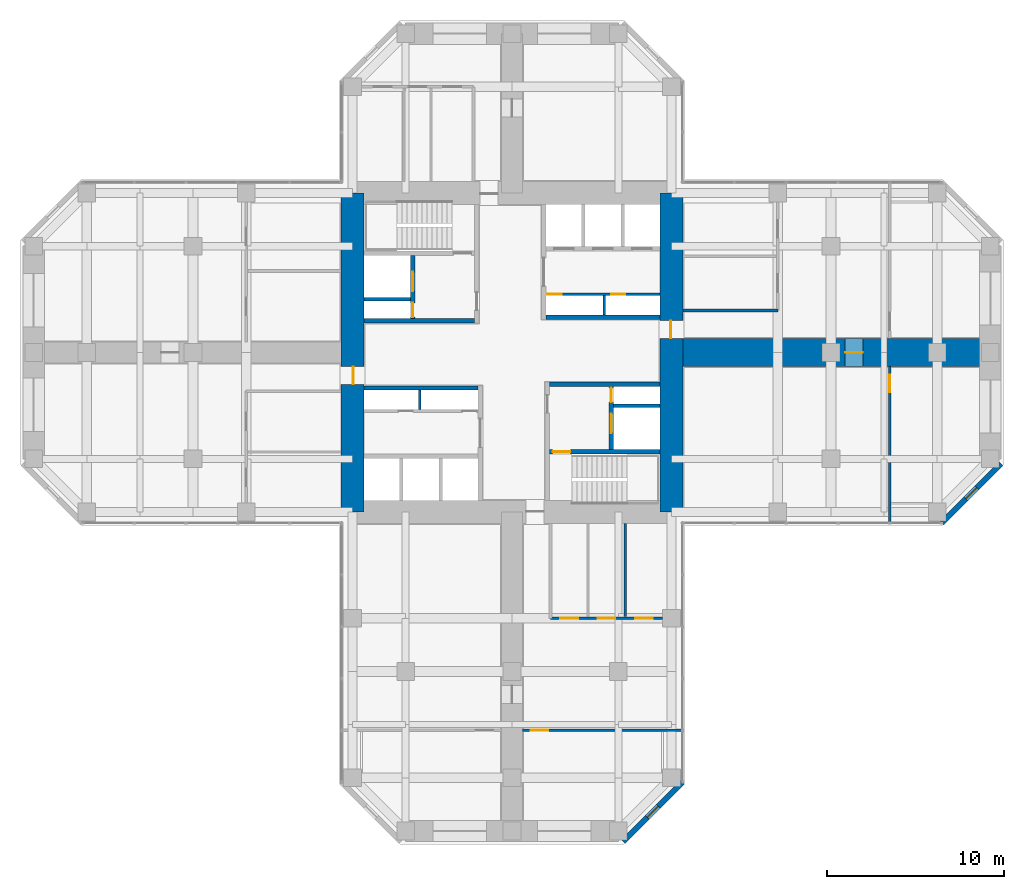
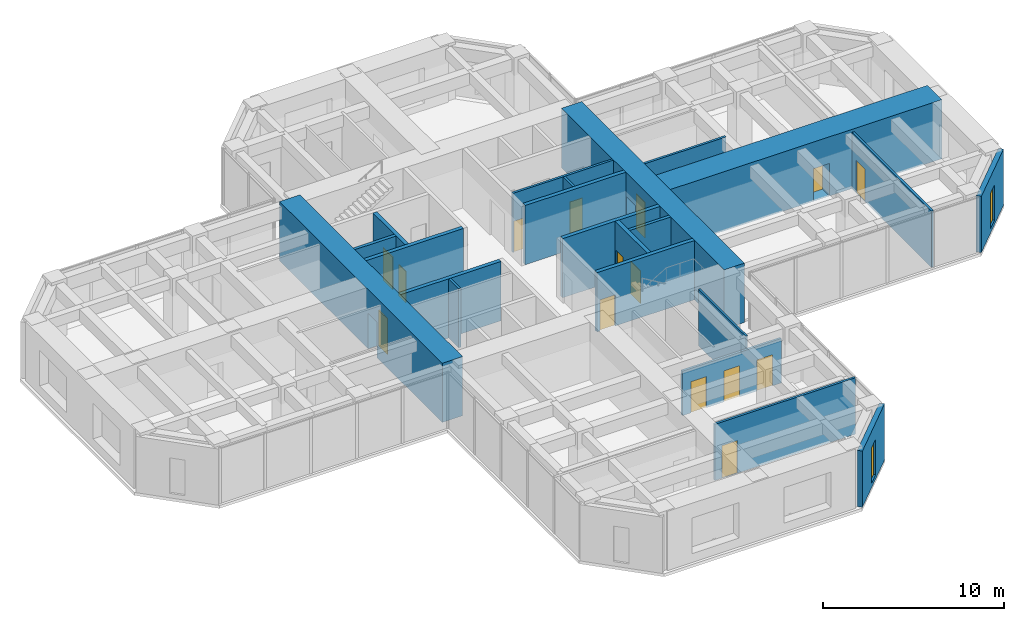
# One storey, part 9 of 12: 22 walls, 15 doors, 2 windows, 17 openings.
"""IFC4 building model written with IfcOpenShell, lengths in metres."""

from ifc_helpers import new_model, si_unit, direction, frame, frame_2d, origin, place, context, subcontext, project, spatial, rectangle, hollow_rectangle, extrude, material, layer, layer_set, constituent, constituent_set, type_object, element, fill, save


model = new_model("IFC4")

# Units and contexts
model_context = context("Model", 3, precision=1e-05, world=origin(), true_north=direction((0.0, 1.0)))
body_context = subcontext(model_context, "Body", "Model", "MODEL_VIEW")
ifc_project = project(units=[si_unit("LENGTHUNIT", "METRE"), si_unit("AREAUNIT", "SQUARE_METRE"), si_unit("VOLUMEUNIT", "CUBIC_METRE"), si_unit("PLANEANGLEUNIT", "RADIAN"), si_unit("MASSUNIT", "GRAM", prefix="KILO")], contexts=[model_context])

# Site, building, storey
site_placement = place(None, origin())
site = spatial("IfcSite", under=ifc_project, at=site_placement, CompositionType="ELEMENT")
building_placement = place(site_placement, origin())
building = spatial("IfcBuilding", under=site, at=building_placement, Name="Torre Cruceta", CompositionType="ELEMENT")
storey_placement = place(building_placement, frame((0.0, 0.0, 148.5)))
storey = spatial("IfcBuildingStorey", under=building, at=storey_placement, Name="L36", CompositionType="ELEMENT", Elevation=148.5)

# Walls
ifc_material_1 = material(Name="Concrete G60 (fck 60 MPa)", Category="concrete")
ifc_layer_1 = layer(ifc_material_1, 0.25)
ifc_layer_set_1 = layer_set([ifc_layer_1], Name="Concrete G60 (fck 60 MPa)")
wall_type_1 = type_object("IfcWallType", Name="CORE INNER WALL 250 G60", PredefinedType="SHEAR", material=ifc_layer_set_1)
wall_1_placement = place(storey_placement, frame((1.925048828125, 2.0, 0.0), z_axis=(0.0, 0.0, 1.0), x_axis=(1.0, 0.0, 0.0)))
element("IfcWall", 1, at=wall_1_placement, inside=storey, type_object=wall_type_1, Name="CW4 L36 NE-CV", PredefinedType="SHEAR", context=body_context, shape_type="SweptSolid", body=[
    extrude(rectangle(XDim=6.425048828125, YDim=0.25, at=frame_2d((3.21240234375, 0.0))), origin(), (0.0, 0.0, 1.0), 4.0),
])
wall_2_placement = place(storey_placement, frame((-2.125, 1.800048828125, 0.0), z_axis=(0.0, 0.0, 1.0), x_axis=(-1.0, 0.0, 0.0)))
element("IfcWall", 2, at=wall_2_placement, inside=storey, type_object=wall_type_1, Name="CW4 L36 NW-CV", PredefinedType="SHEAR", context=body_context, shape_type="SweptSolid", body=[
    extrude(rectangle(XDim=6.22509765625, YDim=0.25, at=frame_2d((3.112548828125, 0.0))), origin(), (0.0, 0.0, 1.0), 4.0),
])

# Wall, openings, doors
wall_3_placement = place(storey_placement, frame((-5.60009765625, 1.925048828125, 0.0), z_axis=(0.0, 0.0, 1.0), x_axis=(0.0, 1.0, 0.0)))
wall_3 = element("IfcWall", 3, at=wall_3_placement, inside=storey, type_object=wall_type_1, Name="CW4 L36 NW-FU", PredefinedType="SHEAR", context=body_context, shape_type="SweptSolid", body=[
    extrude(rectangle(XDim=3.550048828125, YDim=0.25, at=frame_2d((1.77490234375, 0.0))), origin(), (0.0, 0.0, 1.0), 4.0),
])
opening_1_placement = place(wall_3_placement, frame((1.52490234375, 0.0, 0.0)))
opening_1 = element("IfcOpeningElement", 4, at=opening_1_placement, cuts=wall_3, Name="Opening LD1", PredefinedType="OPENING", context=body_context, shape_type="SweptSolid", body=[
    extrude(rectangle(XDim=1.10009765625, YDim=2.199951171875, at=frame_2d((0.550048828125, 1.10009765625))), frame((0.0, 0.135009765625, 0.0), z_axis=(0.0, -1.0, 0.0), x_axis=(1.0, 0.0, 0.0)), (0.0, 0.0, 1.0), 0.27001953125),
])
opening_2_placement = place(wall_3_placement, frame((0.074951171875, 0.0, 0.0)))
opening_2 = element("IfcOpeningElement", 5, at=opening_2_placement, cuts=wall_3, Name="Opening D5", PredefinedType="OPENING", context=body_context, shape_type="SweptSolid", body=[
    extrude(rectangle(XDim=0.800048828125, YDim=2.10009765625, at=frame_2d((0.39990234375, 1.050048828125))), frame((0.0, 0.135009765625, 0.0), z_axis=(0.0, -1.0, 0.0), x_axis=(1.0, 0.0, 0.0)), (0.0, 0.0, 1.0), 0.27001953125),
])
ifc_material_2 = material(Name="Stainless steel 1.4401", Category="steel")
door_type_1 = type_object("IfcDoorType", Name="LIFT LANDING DOOR 1100X2200", OperationType="DOUBLE_DOOR_SLIDING", PredefinedType="DOOR", material=ifc_material_2)
door_1_placement = place(opening_1_placement, origin())
door_1 = element("IfcDoor", 6, at=door_1_placement, inside=storey, type_object=door_type_1, Name="Lift landing door FL1", OperationType="DOUBLE_DOOR_SLIDING", OverallHeight=2.199951171875, OverallWidth=1.10009765625, PredefinedType="DOOR", context=body_context, shape_type="SweptSolid", body=[
    extrude(rectangle(XDim=1.10009765625, YDim=2.199951171875, at=frame_2d((0.550048828125, 1.10009765625))), frame((0.0, 0.02490234375, 0.0), z_axis=(0.0, -1.0, 0.0), x_axis=(1.0, 0.0, 0.0)), (0.0, 0.0, 1.0), 0.050048828125),
])
fill(opening_1, door_1)
ifc_material_3 = material(Name="Steel DX51D", Category="steel")
ifc_constituent_1 = constituent(ifc_material_3, Name="Leaf and frame")
ifc_material_4 = material(Name="Polyester powder coating", Category="paint")
ifc_constituent_2 = constituent(ifc_material_4, Name="Finish")
ifc_constituent_set_1 = constituent_set(constituents=[ifc_constituent_1, ifc_constituent_2], Name="Steel fire door")
door_type_2 = type_object("IfcDoorType", Name="RISER ACCESS DOOR 800X2100", OperationType="SINGLE_SWING_LEFT", PredefinedType="DOOR", material=ifc_constituent_set_1)
door_2_placement = place(opening_2_placement, origin())
door_2 = element("IfcDoor", 7, at=door_2_placement, inside=storey, type_object=door_type_2, Name="D5 L36 NW-RISER", OperationType="SINGLE_SWING_LEFT", OverallHeight=2.10009765625, OverallWidth=0.800048828125, PredefinedType="DOOR", context=body_context, shape_type="SweptSolid", body=[
    extrude(rectangle(XDim=0.800048828125, YDim=2.10009765625, at=frame_2d((0.39990234375, 1.050048828125))), frame((0.0, 0.02490234375, 0.0), z_axis=(0.0, -1.0, 0.0), x_axis=(1.0, 0.0, 0.0)), (0.0, 0.0, 1.0), 0.050048828125),
])
fill(opening_2, door_2)

# Walls
wall_4_placement = place(storey_placement, frame((-1.925048828125, -2.0, 0.0), z_axis=(0.0, 0.0, 1.0), x_axis=(-1.0, 0.0, 0.0)))
element("IfcWall", 8, at=wall_4_placement, inside=storey, type_object=wall_type_1, Name="CW4 L36 SW-CV", PredefinedType="SHEAR", context=body_context, shape_type="SweptSolid", body=[
    extrude(rectangle(XDim=6.425048828125, YDim=0.25, at=frame_2d((3.21240234375, 0.0))), origin(), (0.0, 0.0, 1.0), 4.0),
])
wall_5_placement = place(storey_placement, frame((2.125, -1.800048828125, 0.0), z_axis=(0.0, 0.0, 1.0), x_axis=(1.0, 0.0, 0.0)))
element("IfcWall", 9, at=wall_5_placement, inside=storey, type_object=wall_type_1, Name="CW4 L36 SE-CV", PredefinedType="SHEAR", context=body_context, shape_type="SweptSolid", body=[
    extrude(rectangle(XDim=6.22509765625, YDim=0.25, at=frame_2d((3.112548828125, 0.0))), origin(), (0.0, 0.0, 1.0), 4.0),
])

# Wall, opening, door
wall_6_placement = place(storey_placement, frame((2.125, -5.60009765625, 0.0), z_axis=(0.0, 0.0, 1.0), x_axis=(1.0, 0.0, 0.0)))
wall_6 = element("IfcWall", 10, at=wall_6_placement, inside=storey, type_object=wall_type_1, Name="CW4 L36 SE-SV", PredefinedType="SHEAR", context=body_context, shape_type="SweptSolid", body=[
    extrude(rectangle(XDim=6.22509765625, YDim=0.25, at=frame_2d((3.112548828125, 0.0))), origin(), (0.0, 0.0, 1.0), 4.0),
])
opening_3_placement = place(wall_6_placement, frame((0.175048828125, 0.0, 0.0)))
opening_3 = element("IfcOpeningElement", 11, at=opening_3_placement, cuts=wall_6, Name="Opening D3", PredefinedType="OPENING", context=body_context, shape_type="SweptSolid", body=[
    extrude(rectangle(XDim=1.0, YDim=2.10009765625, at=frame_2d((0.5, 1.050048828125))), frame((0.0, 0.135009765625, 0.0), z_axis=(0.0, -1.0, 0.0), x_axis=(1.0, 0.0, 0.0)), (0.0, 0.0, 1.0), 0.27001953125),
])
ifc_material_5 = material(Name="Steel DX51D", Category="steel")
ifc_constituent_3 = constituent(ifc_material_5, Name="Leaf and frame")
ifc_material_6 = material(Name="Polyester powder coating", Category="paint")
ifc_constituent_4 = constituent(ifc_material_6, Name="Finish")
ifc_constituent_set_2 = constituent_set(constituents=[ifc_constituent_3, ifc_constituent_4], Name="Steel fire door")
door_type_3 = type_object("IfcDoorType", Name="FIRE DOOR 1000X2100", OperationType="SINGLE_SWING_LEFT", PredefinedType="DOOR", material=ifc_constituent_set_2)
door_3_placement = place(opening_3_placement, frame((1.0, 0.0, 0.0), z_axis=(0.0, 0.0, 1.0), x_axis=(-1.0, 0.0, 0.0)))
door_3 = element("IfcDoor", 12, at=door_3_placement, inside=storey, type_object=door_type_3, Name="D3 L36 SE-STAIR", OperationType="SINGLE_SWING_RIGHT", OverallHeight=2.10009765625, OverallWidth=1.0, PredefinedType="DOOR", context=body_context, shape_type="SweptSolid", body=[
    extrude(rectangle(XDim=1.0, YDim=2.10009765625, at=frame_2d((0.5, 1.050048828125))), frame((0.0, 0.025146484375, 0.0), z_axis=(0.0, -1.0, 0.0), x_axis=(1.0, 0.0, 0.0)), (0.0, 0.0, 1.0), 0.050048828125),
])
fill(opening_3, door_3)

# Wall, openings, doors
wall_7_placement = place(storey_placement, frame((5.60009765625, -1.925048828125, 0.0), z_axis=(0.0, 0.0, 1.0), x_axis=(0.0, -1.0, 0.0)))
wall_7 = element("IfcWall", 13, at=wall_7_placement, inside=storey, type_object=wall_type_1, Name="CW4 L36 SE-FU", PredefinedType="SHEAR", context=body_context, shape_type="SweptSolid", body=[
    extrude(rectangle(XDim=3.550048828125, YDim=0.25, at=frame_2d((1.77490234375, 0.0))), origin(), (0.0, 0.0, 1.0), 4.0),
])
opening_4_placement = place(wall_7_placement, frame((1.52490234375, 0.0, 0.0)))
opening_4 = element("IfcOpeningElement", 14, at=opening_4_placement, cuts=wall_7, Name="Opening LD1", PredefinedType="OPENING", context=body_context, shape_type="SweptSolid", body=[
    extrude(rectangle(XDim=1.10009765625, YDim=2.199951171875, at=frame_2d((0.550048828125, 1.10009765625))), frame((0.0, 0.135009765625, 0.0), z_axis=(0.0, -1.0, 0.0), x_axis=(1.0, 0.0, 0.0)), (0.0, 0.0, 1.0), 0.27001953125),
])
opening_5_placement = place(wall_7_placement, frame((0.074951171875, 0.0, 0.0)))
opening_5 = element("IfcOpeningElement", 15, at=opening_5_placement, cuts=wall_7, Name="Opening D5", PredefinedType="OPENING", context=body_context, shape_type="SweptSolid", body=[
    extrude(rectangle(XDim=0.800048828125, YDim=2.10009765625, at=frame_2d((0.39990234375, 1.050048828125))), frame((0.0, 0.135009765625, 0.0), z_axis=(0.0, -1.0, 0.0), x_axis=(1.0, 0.0, 0.0)), (0.0, 0.0, 1.0), 0.27001953125),
])
door_4_placement = place(opening_4_placement, origin())
door_4 = element("IfcDoor", 16, at=door_4_placement, inside=storey, type_object=door_type_1, Name="Lift landing door FL2", OperationType="DOUBLE_DOOR_SLIDING", OverallHeight=2.199951171875, OverallWidth=1.10009765625, PredefinedType="DOOR", context=body_context, shape_type="SweptSolid", body=[
    extrude(rectangle(XDim=1.10009765625, YDim=2.199951171875, at=frame_2d((0.550048828125, 1.10009765625))), frame((0.0, 0.02490234375, 0.0), z_axis=(0.0, -1.0, 0.0), x_axis=(1.0, 0.0, 0.0)), (0.0, 0.0, 1.0), 0.050048828125),
])
fill(opening_4, door_4)
door_5_placement = place(opening_5_placement, origin())
door_5 = element("IfcDoor", 17, at=door_5_placement, inside=storey, type_object=door_type_2, Name="D5 L36 SE-RISER", OperationType="SINGLE_SWING_LEFT", OverallHeight=2.10009765625, OverallWidth=0.800048828125, PredefinedType="DOOR", context=body_context, shape_type="SweptSolid", body=[
    extrude(rectangle(XDim=0.800048828125, YDim=2.10009765625, at=frame_2d((0.39990234375, 1.050048828125))), frame((0.0, 0.02490234375, 0.0), z_axis=(0.0, -1.0, 0.0), x_axis=(1.0, 0.0, 0.0)), (0.0, 0.0, 1.0), 0.050048828125),
])
fill(opening_5, door_5)

# Wall, opening, door
ifc_material_7 = material(Name="Concrete G60 (fck 60 MPa)", Category="concrete")
ifc_layer_2 = layer(ifc_material_7, 1.300048828125)
ifc_layer_set_2 = layer_set([ifc_layer_2], Name="Concrete G60 (fck 60 MPa)")
wall_type_2 = type_object("IfcWallType", Name="CORE WALL 1300 G60", PredefinedType="SHEAR", material=ifc_layer_set_2)
wall_8_placement = place(storey_placement, frame((9.0, -9.0, 0.0), z_axis=(0.0, 0.0, 1.0), x_axis=(0.0, 1.0, 0.0)))
wall_8 = element("IfcWall", 18, at=wall_8_placement, inside=storey, type_object=wall_type_2, Name="CW1 L36 CW-E", PredefinedType="SHEAR", context=body_context, shape_type="SweptSolid", body=[
    extrude(rectangle(XDim=18.0, YDim=1.300048828125, at=frame_2d((9.0, 0.0))), origin(), (0.0, 0.0, 1.0), 4.0),
])
opening_6_placement = place(wall_8_placement, frame((9.800048828125, 0.0, 0.0)))
opening_6 = element("IfcOpeningElement", 19, at=opening_6_placement, cuts=wall_8, Name="Opening D4", PredefinedType="OPENING", context=body_context, shape_type="SweptSolid", body=[
    extrude(rectangle(XDim=1.0, YDim=2.39990234375, at=frame_2d((0.5, 1.199951171875))), frame((0.0, 0.659912109375, 0.0), z_axis=(0.0, -1.0, 0.0), x_axis=(1.0, 0.0, 0.0)), (0.0, 0.0, 1.0), 1.320068359375),
])
ifc_material_8 = material(Name="Steel DX51D", Category="steel")
ifc_constituent_5 = constituent(ifc_material_8, Name="Leaf and frame")
ifc_material_9 = material(Name="Polyester powder coating", Category="paint")
ifc_constituent_6 = constituent(ifc_material_9, Name="Finish")
ifc_constituent_set_3 = constituent_set(constituents=[ifc_constituent_5, ifc_constituent_6], Name="Steel fire door")
door_type_4 = type_object("IfcDoorType", Name="CORE ARM DOOR 1000X2400", OperationType="SINGLE_SWING_RIGHT", PredefinedType="DOOR", material=ifc_constituent_set_3)
door_6_placement = place(opening_6_placement, frame((1.0, 0.0, 0.0), z_axis=(0.0, 0.0, 1.0), x_axis=(-1.0, 0.0, 0.0)))
door_6 = element("IfcDoor", 20, at=door_6_placement, inside=storey, type_object=door_type_4, Name="D4 L36 CW-E", OperationType="SINGLE_SWING_RIGHT", OverallHeight=2.39990234375, OverallWidth=1.0, PredefinedType="DOOR", context=body_context, shape_type="SweptSolid", body=[
    extrude(rectangle(XDim=1.0, YDim=2.39990234375, at=frame_2d((0.5, 1.199951171875))), frame((0.0, -0.005126953125, 0.0), z_axis=(0.0, -1.0, 0.0), x_axis=(1.0, 0.0, 0.0)), (0.0, 0.0, 1.0), 0.050048828125),
])
fill(opening_6, door_6)

wall_9_placement = place(storey_placement, frame((-9.0, 9.0, 0.0), z_axis=(0.0, 0.0, 1.0), x_axis=(0.0, -1.0, 0.0)))
wall_9 = element("IfcWall", 21, at=wall_9_placement, inside=storey, type_object=wall_type_2, Name="CW1 L36 CW-W", PredefinedType="SHEAR", context=body_context, shape_type="SweptSolid", body=[
    extrude(rectangle(XDim=18.0, YDim=1.300048828125, at=frame_2d((9.0, 0.0))), origin(), (0.0, 0.0, 1.0), 4.0),
])
opening_7_placement = place(wall_9_placement, frame((9.800048828125, 0.0, 0.0)))
opening_7 = element("IfcOpeningElement", 22, at=opening_7_placement, cuts=wall_9, Name="Opening D4", PredefinedType="OPENING", context=body_context, shape_type="SweptSolid", body=[
    extrude(rectangle(XDim=1.0, YDim=2.39990234375, at=frame_2d((0.5, 1.199951171875))), frame((0.0, 0.659912109375, 0.0), z_axis=(0.0, -1.0, 0.0), x_axis=(1.0, 0.0, 0.0)), (0.0, 0.0, 1.0), 1.320068359375),
])
door_7_placement = place(opening_7_placement, frame((1.0, 0.0, 0.0), z_axis=(0.0, 0.0, 1.0), x_axis=(-1.0, 0.0, 0.0)))
door_7 = element("IfcDoor", 23, at=door_7_placement, inside=storey, type_object=door_type_4, Name="D4 L36 CW-W", OperationType="SINGLE_SWING_RIGHT", OverallHeight=2.39990234375, OverallWidth=1.0, PredefinedType="DOOR", context=body_context, shape_type="SweptSolid", body=[
    extrude(rectangle(XDim=1.0, YDim=2.39990234375, at=frame_2d((0.5, 1.199951171875))), frame((0.0, -0.005126953125, 0.0), z_axis=(0.0, -1.0, 0.0), x_axis=(1.0, 0.0, 0.0)), (0.0, 0.0, 1.0), 0.050048828125),
])
fill(opening_7, door_7)

# Wall, opening, window
ifc_material_10 = material(Name="Concrete G30 (fck 30 MPa)", Category="concrete")
ifc_layer_3 = layer(ifc_material_10, 0.300048828125)
ifc_layer_set_3 = layer_set([ifc_layer_3], Name="Concrete G30 (fck 30 MPa)")
wall_type_3 = type_object("IfcWallType", Name="EXPOSED CONCRETE FACADE WALL 300", PredefinedType="SOLIDWALL", material=ifc_layer_set_3)
wall_10_placement = place(storey_placement, frame((24.2568359375, -9.6201171875, 0.0), z_axis=(0.0, 0.0, 1.0), x_axis=(0.707106781187, 0.707106781187, 0.0)))
wall_10 = element("IfcWall", 24, at=wall_10_placement, inside=storey, type_object=wall_type_3, Name="EW1 facade wall L36 E chamfer 01", PredefinedType="SOLIDWALL", context=body_context, shape_type="SweptSolid", body=[
    extrude(rectangle(XDim=4.72802734375, YDim=0.300048828125, at=frame_2d((2.364013671875, 0.0))), origin(), (0.0, 0.0, 1.0), 3.800048828125),
])
opening_8_placement = place(wall_10_placement, frame((1.9140625, 0.0, 0.300048828125)))
opening_8 = element("IfcOpeningElement", 25, at=opening_8_placement, cuts=wall_10, Name="Opening WN5", PredefinedType="OPENING", context=body_context, shape_type="SweptSolid", body=[
    extrude(rectangle(XDim=0.89990234375, YDim=2.39990234375, at=frame_2d((0.449951171875, 1.199951171875))), frame((0.0, 0.159912109375, 0.0), z_axis=(0.0, -1.0, 0.0), x_axis=(1.0, 0.0, 0.0)), (0.0, 0.0, 1.0), 0.320068359375),
])
ifc_material_11 = material(Name="Aluminium window frame", Category="aluminium")
ifc_constituent_7 = constituent(ifc_material_11, Name="Frame")
ifc_material_12 = material(Name="Laminated insulating glass unit, low-iron clear", Category="glass")
ifc_constituent_8 = constituent(ifc_material_12, Name="Glazing")
ifc_constituent_set_4 = constituent_set(constituents=[ifc_constituent_7, ifc_constituent_8], Name="Aluminium window")
window_type = type_object("IfcWindowType", Name="CHAMFER SLOT WINDOW 900X2400", PartitioningType="SINGLE_PANEL", PredefinedType="WINDOW", material=ifc_constituent_set_4)
window_1_placement = place(opening_8_placement, origin())
window_1 = element("IfcWindow", 26, at=window_1_placement, inside=storey, type_object=window_type, Name="WN5 L36 E 1", OverallHeight=2.39990234375, OverallWidth=0.89990234375, PartitioningType="SINGLE_PANEL", PredefinedType="WINDOW", context=body_context, shape_type="SweptSolid", body=[
    extrude(hollow_rectangle(XDim=0.89990234375, YDim=2.39990234375, WallThickness=0.06005859375, at=frame_2d((0.449951171875, 1.199951171875))), frame((0.0, 0.030029296875, 0.0), z_axis=(0.0, -1.0, 0.0), x_axis=(1.0, 0.0, 0.0)), (0.0, 0.0, 1.0), 0.06005859375),
    extrude(rectangle(XDim=0.77880859375, YDim=2.27880859375, at=frame_2d((0.449951171875, 1.199951171875))), frame((0.0, 0.030029296875, 0.0), z_axis=(0.0, -1.0, 0.0), x_axis=(1.0, 0.0, 0.0)), (0.0, 0.0, 1.0), 0.06005859375),
])
fill(opening_8, window_1)

wall_11_placement = place(storey_placement, frame((6.27685546875, -27.60009765625, 0.0), z_axis=(0.0, 0.0, 1.0), x_axis=(0.707106781187, 0.707106781187, 0.0)))
wall_11 = element("IfcWall", 27, at=wall_11_placement, inside=storey, type_object=wall_type_3, Name="EW1 facade wall L36 S chamfer 18", PredefinedType="SOLIDWALL", context=body_context, shape_type="SweptSolid", body=[
    extrude(rectangle(XDim=4.72802734375, YDim=0.300048828125, at=frame_2d((2.364013671875, 0.0))), origin(), (0.0, 0.0, 1.0), 3.800048828125),
])
opening_9_placement = place(wall_11_placement, frame((1.9140625, 0.0, 0.300048828125)))
opening_9 = element("IfcOpeningElement", 28, at=opening_9_placement, cuts=wall_11, Name="Opening WN5", PredefinedType="OPENING", context=body_context, shape_type="SweptSolid", body=[
    extrude(rectangle(XDim=0.89990234375, YDim=2.39990234375, at=frame_2d((0.449951171875, 1.199951171875))), frame((0.0, 0.159912109375, 0.0), z_axis=(0.0, -1.0, 0.0), x_axis=(1.0, 0.0, 0.0)), (0.0, 0.0, 1.0), 0.320068359375),
])
window_2_placement = place(opening_9_placement, origin())
window_2 = element("IfcWindow", 29, at=window_2_placement, inside=storey, type_object=window_type, Name="WN5 L36 S 1", OverallHeight=2.39990234375, OverallWidth=0.89990234375, PartitioningType="SINGLE_PANEL", PredefinedType="WINDOW", context=body_context, shape_type="SweptSolid", body=[
    extrude(hollow_rectangle(XDim=0.89990234375, YDim=2.39990234375, WallThickness=0.06005859375, at=frame_2d((0.449951171875, 1.199951171875))), frame((0.0, 0.030029296875, 0.0), z_axis=(0.0, -1.0, 0.0), x_axis=(1.0, 0.0, 0.0)), (0.0, 0.0, 1.0), 0.06005859375),
    extrude(rectangle(XDim=0.77880859375, YDim=2.27880859375, at=frame_2d((0.449951171875, 1.199951171875))), frame((0.0, 0.030029296875, 0.0), z_axis=(0.0, -1.0, 0.0), x_axis=(1.0, 0.0, 0.0)), (0.0, 0.0, 1.0), 0.06005859375),
])
fill(opening_9, window_2)

# Walls
ifc_material_13 = material(Name="Concrete G35 (fck 35 MPa)", Category="concrete")
ifc_layer_4 = layer(ifc_material_13, 0.199951171875)
ifc_layer_set_4 = layer_set([ifc_layer_4], Name="Concrete G35 (fck 35 MPa)")
wall_type_4 = type_object("IfcWallType", Name="LIFT SHAFT WALL 200", PredefinedType="PARTITIONING", material=ifc_layer_set_4)
for number, where, z_axis, x_axis, name in (
    (30, (-5.72509765625, 3.0, 0.0), (0.0, 0.0, 1.0), (-1.0, 0.0, 0.0), "SW1 L36 NW-FR"),
    (31, (5.72509765625, -3.0, 0.0), (0.0, 0.0, 1.0), (1.0, 0.0, 0.0), "SW1 L36 SE-FR"),
):
    element("IfcWall", number, at=place(storey_placement, frame(where, z_axis=z_axis, x_axis=x_axis)), inside=storey, type_object=wall_type_4, Name=name, PredefinedType="PARTITIONING", context=body_context, shape_type="SweptSolid", body=[
        extrude(rectangle(XDim=2.625, YDim=0.199951171875, at=frame_2d((1.3125, 0.0))), origin(), (0.0, 0.0, 1.0), 4.0),
    ])
ifc_material_14 = material(Name="Plasterboard on steel studs", Category="steel")
ifc_layer_5 = layer(ifc_material_14, 0.14990234375)
ifc_layer_set_5 = layer_set([ifc_layer_5], Name="Plasterboard on steel studs")
wall_type_5 = type_object("IfcWallType", Name="PARTITION 150", PredefinedType="PARTITIONING", material=ifc_layer_set_5)
wall_12_placement = place(storey_placement, frame((9.64990234375, 2.375, 0.0), z_axis=(0.0, 0.0, 1.0), x_axis=(1.0, 0.0, 0.0)))
element("IfcWall", 32, at=wall_12_placement, inside=storey, type_object=wall_type_5, Name="PT1 L36-E-BSL", PredefinedType="PARTITIONING", context=body_context, shape_type="SweptSolid", body=[
    extrude(rectangle(XDim=5.35009765625, YDim=0.14990234375, at=frame_2d((2.675048828125, 0.0))), origin(), (0.0, 0.0, 1.0), 3.800048828125),
])

# Wall, opening, door
wall_13_placement = place(storey_placement, frame((21.320068359375, -9.580078125, 0.0), z_axis=(0.0, 0.0, 1.0), x_axis=(0.0, 1.0, 0.0)))
wall_13 = element("IfcWall", 33, at=wall_13_placement, inside=storey, type_object=wall_type_5, Name="PT1 L36-E-TWR", PredefinedType="PARTITIONING", context=body_context, shape_type="SweptSolid", body=[
    extrude(rectangle(XDim=8.780029296875, YDim=0.14990234375, at=frame_2d((4.39013671875, 0.0))), origin(), (0.0, 0.0, 1.0), 3.800048828125),
])
opening_10_placement = place(wall_13_placement, frame((7.330078125, 0.0, 0.0)))
opening_10 = element("IfcOpeningElement", 34, at=opening_10_placement, cuts=wall_13, Name="Opening D14", PredefinedType="OPENING", context=body_context, shape_type="SweptSolid", body=[
    extrude(rectangle(XDim=1.0, YDim=2.199951171875, at=frame_2d((0.5, 1.10009765625))), frame((0.0, 0.0849609375, 0.0), z_axis=(0.0, -1.0, 0.0), x_axis=(1.0, 0.0, 0.0)), (0.0, 0.0, 1.0), 0.169921875),
])
ifc_material_15 = material(Name="Steel DX51D", Category="steel")
ifc_constituent_9 = constituent(ifc_material_15, Name="Leaf and frame")
ifc_material_16 = material(Name="Polyester powder coating", Category="paint")
ifc_constituent_10 = constituent(ifc_material_16, Name="Finish")
ifc_material_17 = material(Name="Fire-resisting glass", Category="glass")
ifc_constituent_11 = constituent(ifc_material_17, Name="Vision panel")
ifc_constituent_set_5 = constituent_set(constituents=[ifc_constituent_9, ifc_constituent_10, ifc_constituent_11], Name="Steel fire door with vision panel")
door_type_5 = type_object("IfcDoorType", Name="FIRE DOOR VISION PANEL 1000X2200", OperationType="SINGLE_SWING_RIGHT", PredefinedType="DOOR", material=ifc_constituent_set_5)
door_8_placement = place(opening_10_placement, frame((1.0, 0.0, 0.0), z_axis=(0.0, 0.0, 1.0), x_axis=(-1.0, 0.0, 0.0)))
door_8 = element("IfcDoor", 35, at=door_8_placement, inside=storey, type_object=door_type_5, Name="D14 L36-E-TWR-D1", OperationType="SINGLE_SWING_LEFT", OverallHeight=2.199951171875, OverallWidth=1.0, PredefinedType="DOOR", context=body_context, shape_type="SweptSolid", body=[
    extrude(rectangle(XDim=1.0, YDim=2.199951171875, at=frame_2d((0.5, 1.10009765625))), frame((0.0, 0.025146484375, 0.0), z_axis=(0.0, -1.0, 0.0), x_axis=(1.0, 0.0, 0.0)), (0.0, 0.0, 1.0), 0.050048828125),
])
fill(opening_10, door_8)

# Wall, openings, doors
wall_14_placement = place(storey_placement, frame((2.175048828125, -15.0, 0.0), z_axis=(0.0, 0.0, 1.0), x_axis=(1.0, 0.0, 0.0)))
wall_14 = element("IfcWall", 36, at=wall_14_placement, inside=storey, type_object=wall_type_5, Name="PT1 L36-S-BFL", PredefinedType="PARTITIONING", context=body_context, shape_type="SweptSolid", body=[
    extrude(rectangle(XDim=6.324951171875, YDim=0.14990234375, at=frame_2d((3.16259765625, 0.0))), origin(), (0.0, 0.0, 1.0), 3.0),
])
opening_11_placement = place(wall_14_placement, frame((0.55419921875, 0.0, 0.0)))
opening_11 = element("IfcOpeningElement", 37, at=opening_11_placement, cuts=wall_14, Name="Opening D3", PredefinedType="OPENING", context=body_context, shape_type="SweptSolid", body=[
    extrude(rectangle(XDim=1.0, YDim=2.10009765625, at=frame_2d((0.5, 1.050048828125))), frame((0.0, 0.0849609375, 0.0), z_axis=(0.0, -1.0, 0.0), x_axis=(1.0, 0.0, 0.0)), (0.0, 0.0, 1.0), 0.169921875),
])
opening_12_placement = place(wall_14_placement, frame((2.66259765625, 0.0, 0.0)))
opening_12 = element("IfcOpeningElement", 38, at=opening_12_placement, cuts=wall_14, Name="Opening D3", PredefinedType="OPENING", context=body_context, shape_type="SweptSolid", body=[
    extrude(rectangle(XDim=1.0, YDim=2.10009765625, at=frame_2d((0.5, 1.050048828125))), frame((0.0, 0.0849609375, 0.0), z_axis=(0.0, -1.0, 0.0), x_axis=(1.0, 0.0, 0.0)), (0.0, 0.0, 1.0), 0.169921875),
])
opening_13_placement = place(wall_14_placement, frame((4.770751953125, 0.0, 0.0)))
opening_13 = element("IfcOpeningElement", 39, at=opening_13_placement, cuts=wall_14, Name="Opening D3", PredefinedType="OPENING", context=body_context, shape_type="SweptSolid", body=[
    extrude(rectangle(XDim=1.0, YDim=2.10009765625, at=frame_2d((0.5, 1.050048828125))), frame((0.0, 0.0849609375, 0.0), z_axis=(0.0, -1.0, 0.0), x_axis=(1.0, 0.0, 0.0)), (0.0, 0.0, 1.0), 0.169921875),
])
door_9_placement = place(opening_11_placement, origin())
door_9 = element("IfcDoor", 40, at=door_9_placement, inside=storey, type_object=door_type_3, Name="D3 L36-S-BFL-D1", OperationType="SINGLE_SWING_LEFT", OverallHeight=2.10009765625, OverallWidth=1.0, PredefinedType="DOOR", context=body_context, shape_type="SweptSolid", body=[
    extrude(rectangle(XDim=1.0, YDim=2.10009765625, at=frame_2d((0.5, 1.050048828125))), frame((0.0, 0.02490234375, 0.0), z_axis=(0.0, -1.0, 0.0), x_axis=(1.0, 0.0, 0.0)), (0.0, 0.0, 1.0), 0.050048828125),
])
fill(opening_11, door_9)
door_10_placement = place(opening_12_placement, origin())
door_10 = element("IfcDoor", 41, at=door_10_placement, inside=storey, type_object=door_type_3, Name="D3 L36-S-BFL-D2", OperationType="SINGLE_SWING_LEFT", OverallHeight=2.10009765625, OverallWidth=1.0, PredefinedType="DOOR", context=body_context, shape_type="SweptSolid", body=[
    extrude(rectangle(XDim=1.0, YDim=2.10009765625, at=frame_2d((0.5, 1.050048828125))), frame((0.0, 0.02490234375, 0.0), z_axis=(0.0, -1.0, 0.0), x_axis=(1.0, 0.0, 0.0)), (0.0, 0.0, 1.0), 0.050048828125),
])
fill(opening_12, door_10)
door_11_placement = place(opening_13_placement, origin())
door_11 = element("IfcDoor", 42, at=door_11_placement, inside=storey, type_object=door_type_3, Name="D3 L36-S-BFL-D3", OperationType="SINGLE_SWING_LEFT", OverallHeight=2.10009765625, OverallWidth=1.0, PredefinedType="DOOR", context=body_context, shape_type="SweptSolid", body=[
    extrude(rectangle(XDim=1.0, YDim=2.10009765625, at=frame_2d((0.5, 1.050048828125))), frame((0.0, 0.02490234375, 0.0), z_axis=(0.0, -1.0, 0.0), x_axis=(1.0, 0.0, 0.0)), (0.0, 0.0, 1.0), 0.050048828125),
])
fill(opening_13, door_11)

# Wall, opening, door
wall_15_placement = place(storey_placement, frame((0.60009765625, -21.320068359375, 0.0), z_axis=(0.0, 0.0, 1.0), x_axis=(1.0, 0.0, 0.0)))
wall_15 = element("IfcWall", 43, at=wall_15_placement, inside=storey, type_object=wall_type_5, Name="PT1 L36-S-TWL", PredefinedType="PARTITIONING", context=body_context, shape_type="SweptSolid", body=[
    extrude(rectangle(XDim=8.97998046875, YDim=0.14990234375, at=frame_2d((4.489990234375, 0.0))), origin(), (0.0, 0.0, 1.0), 3.800048828125),
])
opening_14_placement = place(wall_15_placement, frame((0.449951171875, 0.0, 0.0)))
opening_14 = element("IfcOpeningElement", 44, at=opening_14_placement, cuts=wall_15, Name="Opening D14", PredefinedType="OPENING", context=body_context, shape_type="SweptSolid", body=[
    extrude(rectangle(XDim=1.0, YDim=2.199951171875, at=frame_2d((0.5, 1.10009765625))), frame((0.0, 0.0849609375, 0.0), z_axis=(0.0, -1.0, 0.0), x_axis=(1.0, 0.0, 0.0)), (0.0, 0.0, 1.0), 0.169921875),
])
door_12_placement = place(opening_14_placement, frame((1.0, 0.0, 0.0), z_axis=(0.0, 0.0, 1.0), x_axis=(-1.0, 0.0, 0.0)))
door_12 = element("IfcDoor", 45, at=door_12_placement, inside=storey, type_object=door_type_5, Name="D14 L36-S-TWL-D1", OperationType="SINGLE_SWING_RIGHT", OverallHeight=2.199951171875, OverallWidth=1.0, PredefinedType="DOOR", context=body_context, shape_type="SweptSolid", body=[
    extrude(rectangle(XDim=1.0, YDim=2.199951171875, at=frame_2d((0.5, 1.10009765625))), frame((0.0, 0.025146484375, 0.0), z_axis=(0.0, -1.0, 0.0), x_axis=(1.0, 0.0, 0.0)), (0.0, 0.0, 1.0), 0.050048828125),
])
fill(opening_14, door_12)

# Wall, openings, doors
ifc_material_18 = material(Name="Concrete block masonry", Category="masonry")
ifc_layer_6 = layer(ifc_material_18, 0.14990234375)
ifc_layer_set_6 = layer_set([ifc_layer_6], Name="Concrete block masonry")
wall_type_6 = type_object("IfcWallType", Name="RISER WALL 150", PredefinedType="PARTITIONING", material=ifc_layer_set_6)
wall_16_placement = place(storey_placement, frame((1.925048828125, 3.300048828125, 0.0), z_axis=(0.0, 0.0, 1.0), x_axis=(1.0, 0.0, 0.0)))
wall_16 = element("IfcWall", 46, at=wall_16_placement, inside=storey, type_object=wall_type_6, Name="SW7 L36 NE-RV", PredefinedType="PARTITIONING", context=body_context, shape_type="SweptSolid", body=[
    extrude(rectangle(XDim=6.425048828125, YDim=0.14990234375, at=frame_2d((3.21240234375, 0.0))), origin(), (0.0, 0.0, 1.0), 4.0),
])
opening_15_placement = place(wall_16_placement, frame((0.074951171875, 0.0, 0.0)))
opening_15 = element("IfcOpeningElement", 47, at=opening_15_placement, cuts=wall_16, Name="Opening D5", PredefinedType="OPENING", context=body_context, shape_type="SweptSolid", body=[
    extrude(rectangle(XDim=0.800048828125, YDim=2.10009765625, at=frame_2d((0.39990234375, 1.050048828125))), frame((0.0, 0.0849609375, 0.0), z_axis=(0.0, -1.0, 0.0), x_axis=(1.0, 0.0, 0.0)), (0.0, 0.0, 1.0), 0.169921875),
])
opening_16_placement = place(wall_16_placement, frame((3.675048828125, 0.0, 0.0)))
opening_16 = element("IfcOpeningElement", 48, at=opening_16_placement, cuts=wall_16, Name="Opening D5", PredefinedType="OPENING", context=body_context, shape_type="SweptSolid", body=[
    extrude(rectangle(XDim=0.800048828125, YDim=2.10009765625, at=frame_2d((0.39990234375, 1.050048828125))), frame((0.0, 0.0849609375, 0.0), z_axis=(0.0, -1.0, 0.0), x_axis=(1.0, 0.0, 0.0)), (0.0, 0.0, 1.0), 0.169921875),
])
door_13_placement = place(opening_15_placement, frame((0.800048828125, 0.0, 0.0), z_axis=(0.0, 0.0, 1.0), x_axis=(-1.0, 0.0, 0.0)))
door_13 = element("IfcDoor", 49, at=door_13_placement, inside=storey, type_object=door_type_2, Name="D5 L36 NE-RISER1", OperationType="SINGLE_SWING_RIGHT", OverallHeight=2.10009765625, OverallWidth=0.800048828125, PredefinedType="DOOR", context=body_context, shape_type="SweptSolid", body=[
    extrude(rectangle(XDim=0.800048828125, YDim=2.10009765625, at=frame_2d((0.400146484375, 1.050048828125))), frame((0.0, 0.025146484375, 0.0), z_axis=(0.0, -1.0, 0.0), x_axis=(1.0, 0.0, 0.0)), (0.0, 0.0, 1.0), 0.050048828125),
])
fill(opening_15, door_13)
door_14_placement = place(opening_16_placement, frame((0.800048828125, 0.0, 0.0), z_axis=(0.0, 0.0, 1.0), x_axis=(-1.0, 0.0, 0.0)))
door_14 = element("IfcDoor", 50, at=door_14_placement, inside=storey, type_object=door_type_2, Name="D5 L36 NE-RISER2", OperationType="SINGLE_SWING_RIGHT", OverallHeight=2.10009765625, OverallWidth=0.800048828125, PredefinedType="DOOR", context=body_context, shape_type="SweptSolid", body=[
    extrude(rectangle(XDim=0.800048828125, YDim=2.10009765625, at=frame_2d((0.400146484375, 1.050048828125))), frame((0.0, 0.025146484375, 0.0), z_axis=(0.0, -1.0, 0.0), x_axis=(1.0, 0.0, 0.0)), (0.0, 0.0, 1.0), 0.050048828125),
])
fill(opening_16, door_14)

# Walls
for number, where, z_axis, x_axis, name in (
    (51, (5.199951171875, 2.125, 0.0), (0.0, 0.0, 1.0), (0.0, 1.0, 0.0), "SW7 L36 NE-RU"),
    (52, (-5.199951171875, -2.125, 0.0), (0.0, 0.0, 1.0), (0.0, -1.0, 0.0), "SW7 L36 SW-RU"),
):
    element("IfcWall", number, at=place(storey_placement, frame(where, z_axis=z_axis, x_axis=x_axis)), inside=storey, type_object=wall_type_6, Name=name, PredefinedType="PARTITIONING", context=body_context, shape_type="SweptSolid", body=[
        extrude(rectangle(XDim=1.10009765625, YDim=0.14990234375, at=frame_2d((0.550048828125, 0.0))), origin(), (0.0, 0.0, 1.0), 4.0),
    ])

# Wall, opening, door
ifc_material_19 = material(Name="Concrete G60 (fck 60 MPa)", Category="concrete")
ifc_layer_7 = layer(ifc_material_19, 1.60009765625)
ifc_layer_set_7 = layer_set([ifc_layer_7], Name="Concrete G60 (fck 60 MPa)")
wall_type_7 = type_object("IfcWallType", Name="SPINE WALL 1600 G60", PredefinedType="SHEAR", material=ifc_layer_set_7)
wall_17_placement = place(storey_placement, frame((9.0, 0.0, 0.0), z_axis=(0.0, 0.0, 1.0), x_axis=(1.0, 0.0, 0.0)))
wall_17 = element("IfcWall", 53, at=wall_17_placement, inside=storey, type_object=wall_type_7, Name="SW2 spine wall L36 E", PredefinedType="SHEAR", context=body_context, shape_type="SweptSolid", body=[
    extrude(rectangle(XDim=18.0, YDim=1.60009765625, at=frame_2d((9.0, 0.0))), origin(), (0.0, 0.0, 1.0), 4.0),
])
opening_17_placement = place(wall_17_placement, frame((9.800048828125, 0.0, 0.0)))
opening_17 = element("IfcOpeningElement", 54, at=opening_17_placement, cuts=wall_17, Name="Opening D14", PredefinedType="OPENING", context=body_context, shape_type="SweptSolid", body=[
    extrude(rectangle(XDim=1.0, YDim=2.199951171875, at=frame_2d((0.5, 1.10009765625))), frame((0.0, 0.81005859375, 0.0), z_axis=(0.0, -1.0, 0.0), x_axis=(1.0, 0.0, 0.0)), (0.0, 0.0, 1.0), 1.6201171875),
])
door_15_placement = place(opening_17_placement, origin())
door_15 = element("IfcDoor", 55, at=door_15_placement, inside=storey, type_object=door_type_5, Name="D14 L36-E-SP1", OperationType="SINGLE_SWING_RIGHT", OverallHeight=2.199951171875, OverallWidth=1.0, PredefinedType="DOOR", context=body_context, shape_type="SweptSolid", body=[
    extrude(rectangle(XDim=1.0, YDim=2.199951171875, at=frame_2d((0.5, 1.10009765625))), frame((0.0, 0.02490234375, 0.0), z_axis=(0.0, -1.0, 0.0), x_axis=(1.0, 0.0, 0.0)), (0.0, 0.0, 1.0), 0.050048828125),
])
fill(opening_17, door_15)

# Wall
ifc_material_20 = material(Name="Plasterboard on steel studs", Category="steel")
ifc_layer_8 = layer(ifc_material_20, 0.1201171875)
ifc_layer_set_8 = layer_set([ifc_layer_8], Name="Plasterboard on steel studs")
wall_type_8 = type_object("IfcWallType", Name="WC PARTITION 120", PredefinedType="PLUMBINGWALL", material=ifc_layer_set_8)
wall_18_placement = place(storey_placement, frame((6.3916015625, -9.64990234375, 0.0), z_axis=(0.0, 0.0, 1.0), x_axis=(0.0, -1.0, 0.0)))
element("IfcWall", 56, at=wall_18_placement, inside=storey, type_object=wall_type_8, Name="PT5 L36-S-BDL2", PredefinedType="PLUMBINGWALL", context=body_context, shape_type="SweptSolid", body=[
    extrude(rectangle(XDim=5.25, YDim=0.1201171875, at=frame_2d((2.625, 0.0))), origin(), (0.0, 0.0, 1.0), 3.800048828125),
])

save(model, "model.ifc")
